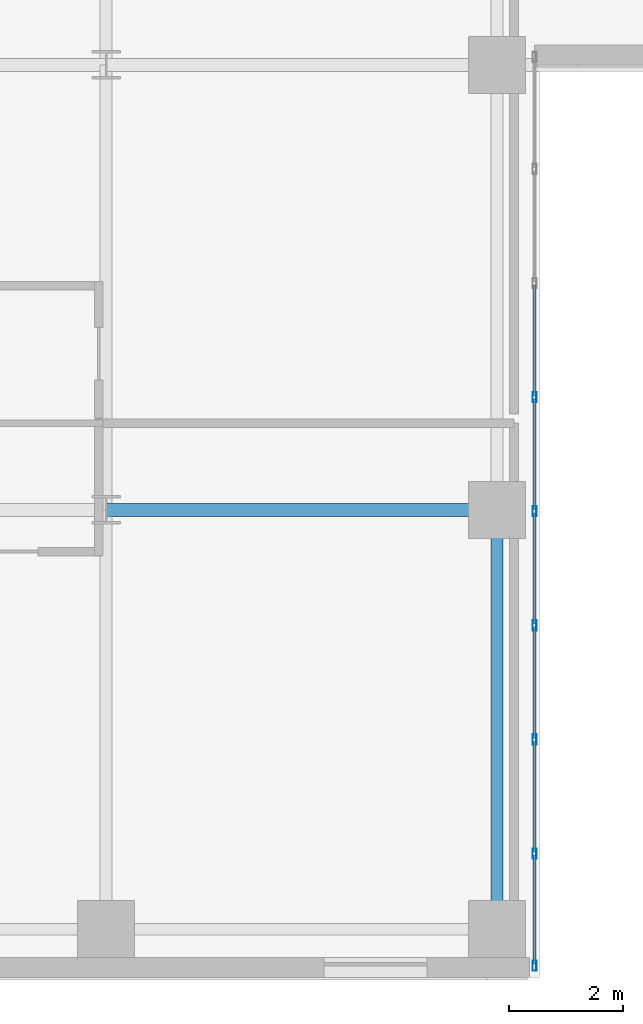
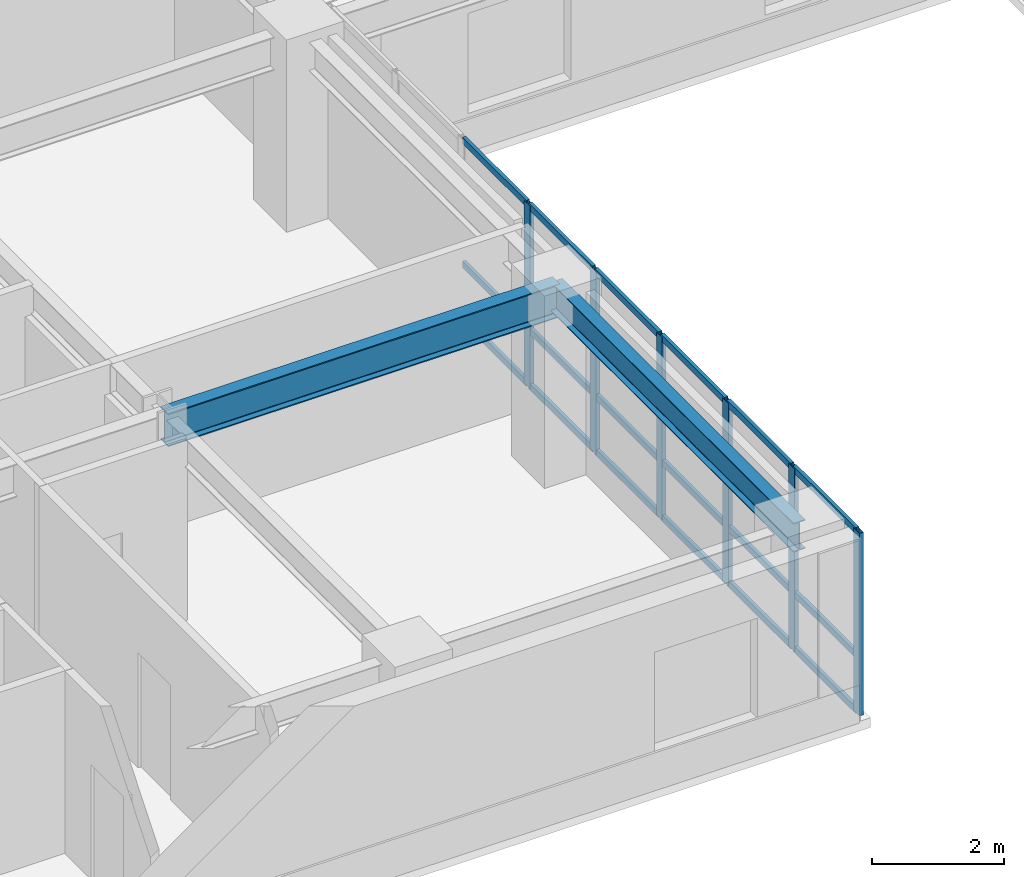
# One storey, part 2 of 25: 24 members, 2 beams, 1 element without a shape of its own.
"""IFC4 building model written with IfcOpenShell, lengths in metres."""

from ifc_helpers import new_model, si_unit, direction, frame, origin, origin_2d, place, context, subcontext, project, spatial, hollow_rectangle, i_section, extrude, source, transform, mapped, material, layer, layer_set, material_profile, profile_set, type_object, type_shapes, element, aggregate, save


model = new_model("IFC4")

# Units and contexts
model_context = context("Model", 3, precision=1e-05, world=origin(), true_north=direction((0.0, 1.0)))
body_context = subcontext(model_context, "Body", "Model", "MODEL_VIEW")
ifc_project = project(units=[si_unit("LENGTHUNIT", "METRE"), si_unit("AREAUNIT", "SQUARE_METRE"), si_unit("VOLUMEUNIT", "CUBIC_METRE"), si_unit("PLANEANGLEUNIT", "RADIAN"), si_unit("MASSUNIT", "GRAM", prefix="KILO")], contexts=[model_context])

# Site, building, storey
site_placement = place(None, origin())
site = spatial("IfcSite", under=ifc_project, at=site_placement, CompositionType="ELEMENT")
building_placement = place(site_placement, origin())
building = spatial("IfcBuilding", under=site, at=building_placement, Name="Tolvann Quenvar Hotel", CompositionType="ELEMENT")
storey_placement = place(building_placement, frame((0.0, 0.0, 60.39990234375)))
storey = spatial("IfcBuildingStorey", under=building, at=storey_placement, Name="L14", CompositionType="ELEMENT", Elevation=60.39990234375)

# Beams
ifc_material_1 = material(Name="Steel Grade 350", Category="steel")
ifc_material_profile_1 = material_profile(ifc_material_1, i_section(OverallWidth=0.22900390625, OverallDepth=0.612060546875, WebThickness=0.011962890625, FlangeThickness=0.01953125, FilletRadius=0.013916015625, at=origin_2d()), Name="610UB125")
ifc_profile_set_1 = profile_set([ifc_material_profile_1], Name="Steel Grade 350")
beam_type_1 = type_object("IfcBeamType", Name="BM_GIRD_610UB125", PredefinedType="BEAM", material=ifc_profile_set_1)
shared_shape_1 = source(origin(), body_context, "Body", "SweptSolid", [
    extrude(i_section(OverallWidth=0.22900390625, OverallDepth=0.612060546875, WebThickness=0.011962890625, FlangeThickness=0.01953125, FilletRadius=0.013916015625, at=origin_2d()), origin(), (0.0, 0.0, 1.0), 6.85009765625),
])
type_shapes(beam_type_1, [shared_shape_1])
beam_1_placement = place(storey_placement, frame((15.199951171875, 8.199951171875, 3.064208984375), z_axis=(1.0, 0.0, 0.0), x_axis=(0.0, 1.0, 0.0)))
element("IfcBeam", 1, at=beam_1_placement, inside=storey, type_object=beam_type_1, Name="BM-L14-EW-3-D3-E3", PredefinedType="BEAM", context=body_context, shape_type="MappedRepresentation", body=[
    mapped(shared_shape_1, transform((0.0, 0.0, 0.0), x_axis=(1.0, 0.0, 0.0), y_axis=(0.0, 1.0, 0.0), z_axis=(0.0, 0.0, 1.0), scale=1.0)),
])
ifc_material_profile_2 = material_profile(ifc_material_1, i_section(OverallWidth=0.208984375, OverallDepth=0.532958984375, WebThickness=0.01025390625, FlangeThickness=0.015625, FilletRadius=0.013916015625, at=origin_2d()), Name="530UB92")
ifc_profile_set_2 = profile_set([ifc_material_profile_2], Name="Steel Grade 350")
beam_type_2 = type_object("IfcBeamType", Name="BM_GIRD_530UB92", PredefinedType="BEAM", material=ifc_profile_set_2)
shared_shape_2 = source(origin(), body_context, "Body", "SweptSolid", [
    extrude(i_section(OverallWidth=0.208984375, OverallDepth=0.532958984375, WebThickness=0.01025390625, FlangeThickness=0.015625, FilletRadius=0.013916015625, at=origin_2d()), origin(), (0.0, 0.0, 1.0), 7.349853515625),
])
type_shapes(beam_type_2, [shared_shape_2])
beam_2_placement = place(storey_placement, frame((22.050048828125, 0.85009765625, 3.103515625), z_axis=(0.0, 1.0, 0.0), x_axis=(-1.0, 0.0, 0.0)))
element("IfcBeam", 2, at=beam_2_placement, inside=storey, type_object=beam_type_2, Name="BM-L14-NS-E2-E3", PredefinedType="BEAM", context=body_context, shape_type="MappedRepresentation", body=[
    mapped(shared_shape_2, transform((0.0, 0.0, 0.0), x_axis=(1.0, 0.0, 0.0), y_axis=(0.0, 1.0, 0.0), z_axis=(0.0, 0.0, 1.0), scale=1.0)),
])

# Curtain wall, members
ifc_material_2 = material(Name="Thermally broken anodised architectural aluminium 6063-T6 and laminated low-E glass", Category="aluminium")
ifc_layer = layer(ifc_material_2, 0.179931640625)
ifc_layer_set = layer_set([ifc_layer], Name="Thermally broken anodised architectural aluminium 6063-T6 and laminated low-E glass")
curtain_wall_type = type_object("IfcCurtainWallType", Name="CW_SYS_SLOT_03", PredefinedType="USERDEFINED", material=ifc_layer_set)
curtain_wall_placement = place(storey_placement, origin())
curtain_wall = element("IfcCurtainWall", 3, at=curtain_wall_placement, inside=storey, type_object=curtain_wall_type, Name="Curtain Wall CW-SLOT-03 (CWR-L14-E05)", ObjectType="UNITISED CURTAIN WALL", PredefinedType="USERDEFINED")
ifc_material_3 = material(Name="Anodised architectural aluminium 6063-T6 framing", Category="aluminium")
ifc_material_profile_3 = material_profile(ifc_material_3, hollow_rectangle(XDim=0.070068359375, YDim=0.179931640625, WallThickness=0.00390625, at=origin_2d()), Name="180x70x4RHS")
ifc_profile_set_3 = profile_set([ifc_material_profile_3], Name="Anodised architectural aluminium 6063-T6 framing")
member_type_1 = type_object("IfcMemberType", Name="CW_MULL_180x70", PredefinedType="MULLION", material=ifc_profile_set_3)
shared_shape_3 = source(origin(), body_context, "Body", "SweptSolid", [
    extrude(hollow_rectangle(XDim=0.070068359375, YDim=0.179931640625, WallThickness=0.00390625, at=origin_2d()), origin(), (0.0, 0.0, 1.0), 3.3701171875),
])
type_shapes(member_type_1, [shared_shape_3])
member_1_placement = place(storey_placement, frame((22.7099609375, 0.2099609375, 0.0), z_axis=(0.0, 0.0, 1.0), x_axis=(-1.0, 0.0, 0.0)))
member_1 = element("IfcMember", 4, at=member_1_placement, type_object=member_type_1, Name="CW-SLOT-03 mullion 1", PredefinedType="MULLION", context=body_context, shape_type="MappedRepresentation", body=[
    mapped(shared_shape_3, transform((0.0, 0.0, 0.0), x_axis=(1.0, 0.0, 0.0), y_axis=(0.0, 1.0, 0.0), z_axis=(0.0, 0.0, 1.0), scale=1.0)),
])
member_2_placement = place(storey_placement, frame((22.7099609375, 2.175048828125, 0.0), z_axis=(0.0, 0.0, 1.0), x_axis=(-1.0, 0.0, 0.0)))
member_2 = element("IfcMember", 5, at=member_2_placement, type_object=member_type_1, Name="CW-SLOT-03 mullion 2", PredefinedType="MULLION", context=body_context, shape_type="MappedRepresentation", body=[
    mapped(shared_shape_3, transform((0.0, 0.0, 0.0), x_axis=(1.0, 0.0, 0.0), y_axis=(0.0, 1.0, 0.0), z_axis=(0.0, 0.0, 1.0), scale=1.0)),
])
member_3_placement = place(storey_placement, frame((22.7099609375, 4.175048828125, 0.0), z_axis=(0.0, 0.0, 1.0), x_axis=(-1.0, 0.0, 0.0)))
member_3 = element("IfcMember", 6, at=member_3_placement, type_object=member_type_1, Name="CW-SLOT-03 mullion 3", PredefinedType="MULLION", context=body_context, shape_type="MappedRepresentation", body=[
    mapped(shared_shape_3, transform((0.0, 0.0, 0.0), x_axis=(1.0, 0.0, 0.0), y_axis=(0.0, 1.0, 0.0), z_axis=(0.0, 0.0, 1.0), scale=1.0)),
])
member_4_placement = place(storey_placement, frame((22.7099609375, 6.175048828125, 0.0), z_axis=(0.0, 0.0, 1.0), x_axis=(-1.0, 0.0, 0.0)))
member_4 = element("IfcMember", 7, at=member_4_placement, type_object=member_type_1, Name="CW-SLOT-03 mullion 4", PredefinedType="MULLION", context=body_context, shape_type="MappedRepresentation", body=[
    mapped(shared_shape_3, transform((0.0, 0.0, 0.0), x_axis=(1.0, 0.0, 0.0), y_axis=(0.0, 1.0, 0.0), z_axis=(0.0, 0.0, 1.0), scale=1.0)),
])
member_5_placement = place(storey_placement, frame((22.7099609375, 8.175048828125, 0.0), z_axis=(0.0, 0.0, 1.0), x_axis=(-1.0, 0.0, 0.0)))
member_5 = element("IfcMember", 8, at=member_5_placement, type_object=member_type_1, Name="CW-SLOT-03 mullion 5", PredefinedType="MULLION", context=body_context, shape_type="MappedRepresentation", body=[
    mapped(shared_shape_3, transform((0.0, 0.0, 0.0), x_axis=(1.0, 0.0, 0.0), y_axis=(0.0, 1.0, 0.0), z_axis=(0.0, 0.0, 1.0), scale=1.0)),
])
member_6_placement = place(storey_placement, frame((22.7099609375, 10.175048828125, 0.0), z_axis=(0.0, 0.0, 1.0), x_axis=(-1.0, 0.0, 0.0)))
member_6 = element("IfcMember", 9, at=member_6_placement, type_object=member_type_1, Name="CW-SLOT-03 mullion 6", PredefinedType="MULLION", context=body_context, shape_type="MappedRepresentation", body=[
    mapped(shared_shape_3, transform((0.0, 0.0, 0.0), x_axis=(1.0, 0.0, 0.0), y_axis=(0.0, 1.0, 0.0), z_axis=(0.0, 0.0, 1.0), scale=1.0)),
])
ifc_material_profile_4 = material_profile(ifc_material_3, hollow_rectangle(XDim=0.06005859375, YDim=0.1201171875, WallThickness=0.00341796875, at=origin_2d()), Name="120x60x3.5RHS")
ifc_profile_set_4 = profile_set([ifc_material_profile_4], Name="Anodised architectural aluminium 6063-T6 framing")
member_type_2 = type_object("IfcMemberType", Name="CW_TRAN_120x60", PredefinedType="USERDEFINED", material=ifc_profile_set_4)
shared_shape_4 = source(origin(), body_context, "Body", "SweptSolid", [
    extrude(hollow_rectangle(XDim=0.06005859375, YDim=0.1201171875, WallThickness=0.00341796875, at=origin_2d()), origin(), (0.0, 0.0, 1.0), 1.894775390625),
])
member_7_placement = place(storey_placement, frame((22.7099609375, 0.2451171875, 0.030029296875), z_axis=(0.0, 1.0, 0.0), x_axis=(-1.0, 0.0, 0.0)))
member_7 = element("IfcMember", 10, at=member_7_placement, type_object=member_type_2, Name="CW-SLOT-03 transom 1.1", ObjectType="TRANSOM", PredefinedType="USERDEFINED", context=body_context, shape_type="MappedRepresentation", body=[
    mapped(shared_shape_4, transform((0.0, 0.0, 0.0), x_axis=(1.0, 0.0, 0.0), y_axis=(0.0, 1.0, 0.0), z_axis=(0.0, 0.0, 1.0), scale=1.0)),
])
member_8_placement = place(storey_placement, frame((22.7099609375, 0.2451171875, 1.050048828125), z_axis=(0.0, 1.0, 0.0), x_axis=(-1.0, 0.0, 0.0)))
member_8 = element("IfcMember", 11, at=member_8_placement, type_object=member_type_2, Name="CW-SLOT-03 transom 1.2", ObjectType="TRANSOM", PredefinedType="USERDEFINED", context=body_context, shape_type="MappedRepresentation", body=[
    mapped(shared_shape_4, transform((0.0, 0.0, 0.0), x_axis=(1.0, 0.0, 0.0), y_axis=(0.0, 1.0, 0.0), z_axis=(0.0, 0.0, 1.0), scale=1.0)),
])
member_9_placement = place(storey_placement, frame((22.7099609375, 0.2451171875, 3.340087890625), z_axis=(0.0, 1.0, 0.0), x_axis=(-1.0, 0.0, 0.0)))
member_9 = element("IfcMember", 12, at=member_9_placement, type_object=member_type_2, Name="CW-SLOT-03 transom 1.3", ObjectType="TRANSOM", PredefinedType="USERDEFINED", context=body_context, shape_type="MappedRepresentation", body=[
    mapped(shared_shape_4, transform((0.0, 0.0, 0.0), x_axis=(1.0, 0.0, 0.0), y_axis=(0.0, 1.0, 0.0), z_axis=(0.0, 0.0, 1.0), scale=1.0)),
])
shared_shape_5 = source(origin(), body_context, "Body", "SweptSolid", [
    extrude(hollow_rectangle(XDim=0.06005859375, YDim=0.1201171875, WallThickness=0.00341796875, at=origin_2d()), origin(), (0.0, 0.0, 1.0), 1.929931640625),
])
type_shapes(member_type_2, [shared_shape_4, shared_shape_5])
member_10_placement = place(storey_placement, frame((22.7099609375, 2.2099609375, 0.030029296875), z_axis=(0.0, 1.0, 0.0), x_axis=(-1.0, 0.0, 0.0)))
member_10 = element("IfcMember", 13, at=member_10_placement, type_object=member_type_2, Name="CW-SLOT-03 transom 2.1", ObjectType="TRANSOM", PredefinedType="USERDEFINED", context=body_context, shape_type="MappedRepresentation", body=[
    mapped(shared_shape_5, transform((0.0, 0.0, 0.0), x_axis=(1.0, 0.0, 0.0), y_axis=(0.0, 1.0, 0.0), z_axis=(0.0, 0.0, 1.0), scale=1.0)),
])
member_11_placement = place(storey_placement, frame((22.7099609375, 2.2099609375, 1.050048828125), z_axis=(0.0, 1.0, 0.0), x_axis=(-1.0, 0.0, 0.0)))
member_11 = element("IfcMember", 14, at=member_11_placement, type_object=member_type_2, Name="CW-SLOT-03 transom 2.2", ObjectType="TRANSOM", PredefinedType="USERDEFINED", context=body_context, shape_type="MappedRepresentation", body=[
    mapped(shared_shape_5, transform((0.0, 0.0, 0.0), x_axis=(1.0, 0.0, 0.0), y_axis=(0.0, 1.0, 0.0), z_axis=(0.0, 0.0, 1.0), scale=1.0)),
])
member_12_placement = place(storey_placement, frame((22.7099609375, 2.2099609375, 3.340087890625), z_axis=(0.0, 1.0, 0.0), x_axis=(-1.0, 0.0, 0.0)))
member_12 = element("IfcMember", 15, at=member_12_placement, type_object=member_type_2, Name="CW-SLOT-03 transom 2.3", ObjectType="TRANSOM", PredefinedType="USERDEFINED", context=body_context, shape_type="MappedRepresentation", body=[
    mapped(shared_shape_5, transform((0.0, 0.0, 0.0), x_axis=(1.0, 0.0, 0.0), y_axis=(0.0, 1.0, 0.0), z_axis=(0.0, 0.0, 1.0), scale=1.0)),
])
member_13_placement = place(storey_placement, frame((22.7099609375, 4.2099609375, 0.030029296875), z_axis=(0.0, 1.0, 0.0), x_axis=(-1.0, 0.0, 0.0)))
member_13 = element("IfcMember", 16, at=member_13_placement, type_object=member_type_2, Name="CW-SLOT-03 transom 3.1", ObjectType="TRANSOM", PredefinedType="USERDEFINED", context=body_context, shape_type="MappedRepresentation", body=[
    mapped(shared_shape_5, transform((0.0, 0.0, 0.0), x_axis=(1.0, 0.0, 0.0), y_axis=(0.0, 1.0, 0.0), z_axis=(0.0, 0.0, 1.0), scale=1.0)),
])
member_14_placement = place(storey_placement, frame((22.7099609375, 4.2099609375, 1.050048828125), z_axis=(0.0, 1.0, 0.0), x_axis=(-1.0, 0.0, 0.0)))
member_14 = element("IfcMember", 17, at=member_14_placement, type_object=member_type_2, Name="CW-SLOT-03 transom 3.2", ObjectType="TRANSOM", PredefinedType="USERDEFINED", context=body_context, shape_type="MappedRepresentation", body=[
    mapped(shared_shape_5, transform((0.0, 0.0, 0.0), x_axis=(1.0, 0.0, 0.0), y_axis=(0.0, 1.0, 0.0), z_axis=(0.0, 0.0, 1.0), scale=1.0)),
])
member_15_placement = place(storey_placement, frame((22.7099609375, 4.2099609375, 3.340087890625), z_axis=(0.0, 1.0, 0.0), x_axis=(-1.0, 0.0, 0.0)))
member_15 = element("IfcMember", 18, at=member_15_placement, type_object=member_type_2, Name="CW-SLOT-03 transom 3.3", ObjectType="TRANSOM", PredefinedType="USERDEFINED", context=body_context, shape_type="MappedRepresentation", body=[
    mapped(shared_shape_5, transform((0.0, 0.0, 0.0), x_axis=(1.0, 0.0, 0.0), y_axis=(0.0, 1.0, 0.0), z_axis=(0.0, 0.0, 1.0), scale=1.0)),
])
member_16_placement = place(storey_placement, frame((22.7099609375, 6.2099609375, 0.030029296875), z_axis=(0.0, 1.0, 0.0), x_axis=(-1.0, 0.0, 0.0)))
member_16 = element("IfcMember", 19, at=member_16_placement, type_object=member_type_2, Name="CW-SLOT-03 transom 4.1", ObjectType="TRANSOM", PredefinedType="USERDEFINED", context=body_context, shape_type="MappedRepresentation", body=[
    mapped(shared_shape_5, transform((0.0, 0.0, 0.0), x_axis=(1.0, 0.0, 0.0), y_axis=(0.0, 1.0, 0.0), z_axis=(0.0, 0.0, 1.0), scale=1.0)),
])
member_17_placement = place(storey_placement, frame((22.7099609375, 6.2099609375, 1.050048828125), z_axis=(0.0, 1.0, 0.0), x_axis=(-1.0, 0.0, 0.0)))
member_17 = element("IfcMember", 20, at=member_17_placement, type_object=member_type_2, Name="CW-SLOT-03 transom 4.2", ObjectType="TRANSOM", PredefinedType="USERDEFINED", context=body_context, shape_type="MappedRepresentation", body=[
    mapped(shared_shape_5, transform((0.0, 0.0, 0.0), x_axis=(1.0, 0.0, 0.0), y_axis=(0.0, 1.0, 0.0), z_axis=(0.0, 0.0, 1.0), scale=1.0)),
])
member_18_placement = place(storey_placement, frame((22.7099609375, 6.2099609375, 3.340087890625), z_axis=(0.0, 1.0, 0.0), x_axis=(-1.0, 0.0, 0.0)))
member_18 = element("IfcMember", 21, at=member_18_placement, type_object=member_type_2, Name="CW-SLOT-03 transom 4.3", ObjectType="TRANSOM", PredefinedType="USERDEFINED", context=body_context, shape_type="MappedRepresentation", body=[
    mapped(shared_shape_5, transform((0.0, 0.0, 0.0), x_axis=(1.0, 0.0, 0.0), y_axis=(0.0, 1.0, 0.0), z_axis=(0.0, 0.0, 1.0), scale=1.0)),
])
member_19_placement = place(storey_placement, frame((22.7099609375, 8.2099609375, 0.030029296875), z_axis=(0.0, 1.0, 0.0), x_axis=(-1.0, 0.0, 0.0)))
member_19 = element("IfcMember", 22, at=member_19_placement, type_object=member_type_2, Name="CW-SLOT-03 transom 5.1", ObjectType="TRANSOM", PredefinedType="USERDEFINED", context=body_context, shape_type="MappedRepresentation", body=[
    mapped(shared_shape_5, transform((0.0, 0.0, 0.0), x_axis=(1.0, 0.0, 0.0), y_axis=(0.0, 1.0, 0.0), z_axis=(0.0, 0.0, 1.0), scale=1.0)),
])
member_20_placement = place(storey_placement, frame((22.7099609375, 8.2099609375, 1.050048828125), z_axis=(0.0, 1.0, 0.0), x_axis=(-1.0, 0.0, 0.0)))
member_20 = element("IfcMember", 23, at=member_20_placement, type_object=member_type_2, Name="CW-SLOT-03 transom 5.2", ObjectType="TRANSOM", PredefinedType="USERDEFINED", context=body_context, shape_type="MappedRepresentation", body=[
    mapped(shared_shape_5, transform((0.0, 0.0, 0.0), x_axis=(1.0, 0.0, 0.0), y_axis=(0.0, 1.0, 0.0), z_axis=(0.0, 0.0, 1.0), scale=1.0)),
])
member_21_placement = place(storey_placement, frame((22.7099609375, 8.2099609375, 3.340087890625), z_axis=(0.0, 1.0, 0.0), x_axis=(-1.0, 0.0, 0.0)))
member_21 = element("IfcMember", 24, at=member_21_placement, type_object=member_type_2, Name="CW-SLOT-03 transom 5.3", ObjectType="TRANSOM", PredefinedType="USERDEFINED", context=body_context, shape_type="MappedRepresentation", body=[
    mapped(shared_shape_5, transform((0.0, 0.0, 0.0), x_axis=(1.0, 0.0, 0.0), y_axis=(0.0, 1.0, 0.0), z_axis=(0.0, 0.0, 1.0), scale=1.0)),
])
member_22_placement = place(storey_placement, frame((22.7099609375, 10.2099609375, 0.030029296875), z_axis=(0.0, 1.0, 0.0), x_axis=(-1.0, 0.0, 0.0)))
member_22 = element("IfcMember", 25, at=member_22_placement, type_object=member_type_2, Name="CW-SLOT-03 transom 6.1", ObjectType="TRANSOM", PredefinedType="USERDEFINED", context=body_context, shape_type="MappedRepresentation", body=[
    mapped(shared_shape_5, transform((0.0, 0.0, 0.0), x_axis=(1.0, 0.0, 0.0), y_axis=(0.0, 1.0, 0.0), z_axis=(0.0, 0.0, 1.0), scale=1.0)),
])
member_23_placement = place(storey_placement, frame((22.7099609375, 10.2099609375, 1.050048828125), z_axis=(0.0, 1.0, 0.0), x_axis=(-1.0, 0.0, 0.0)))
member_23 = element("IfcMember", 26, at=member_23_placement, type_object=member_type_2, Name="CW-SLOT-03 transom 6.2", ObjectType="TRANSOM", PredefinedType="USERDEFINED", context=body_context, shape_type="MappedRepresentation", body=[
    mapped(shared_shape_5, transform((0.0, 0.0, 0.0), x_axis=(1.0, 0.0, 0.0), y_axis=(0.0, 1.0, 0.0), z_axis=(0.0, 0.0, 1.0), scale=1.0)),
])
member_24_placement = place(storey_placement, frame((22.7099609375, 10.2099609375, 3.340087890625), z_axis=(0.0, 1.0, 0.0), x_axis=(-1.0, 0.0, 0.0)))
member_24 = element("IfcMember", 27, at=member_24_placement, type_object=member_type_2, Name="CW-SLOT-03 transom 6.3", ObjectType="TRANSOM", PredefinedType="USERDEFINED", context=body_context, shape_type="MappedRepresentation", body=[
    mapped(shared_shape_5, transform((0.0, 0.0, 0.0), x_axis=(1.0, 0.0, 0.0), y_axis=(0.0, 1.0, 0.0), z_axis=(0.0, 0.0, 1.0), scale=1.0)),
])
aggregate(curtain_wall, [member_1, member_2, member_3, member_4, member_5, member_6, member_7, member_8, member_9, member_10, member_11, member_12, member_13, member_14, member_15, member_16, member_17, member_18, member_19, member_20, member_21, member_22, member_23, member_24])

save(model, "model.ifc")
